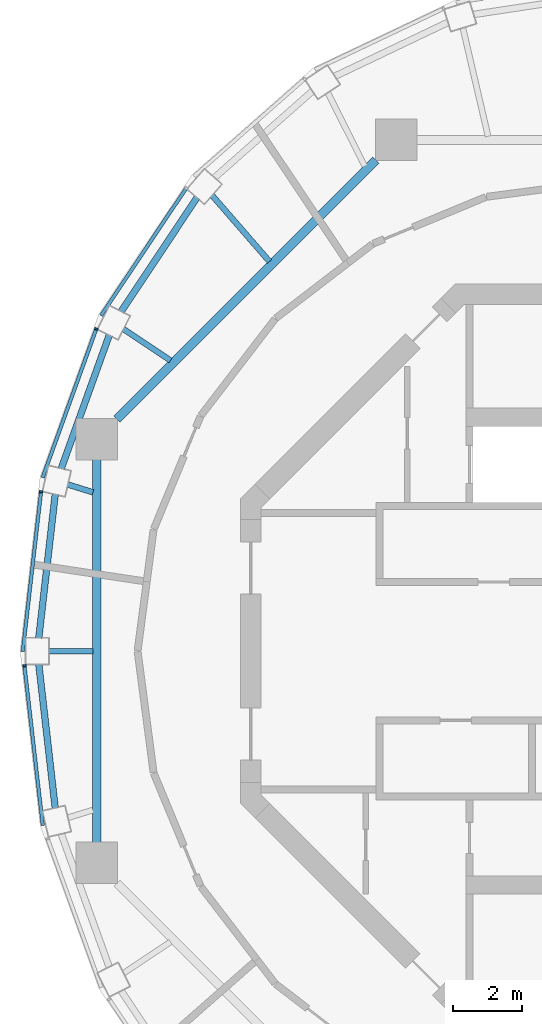
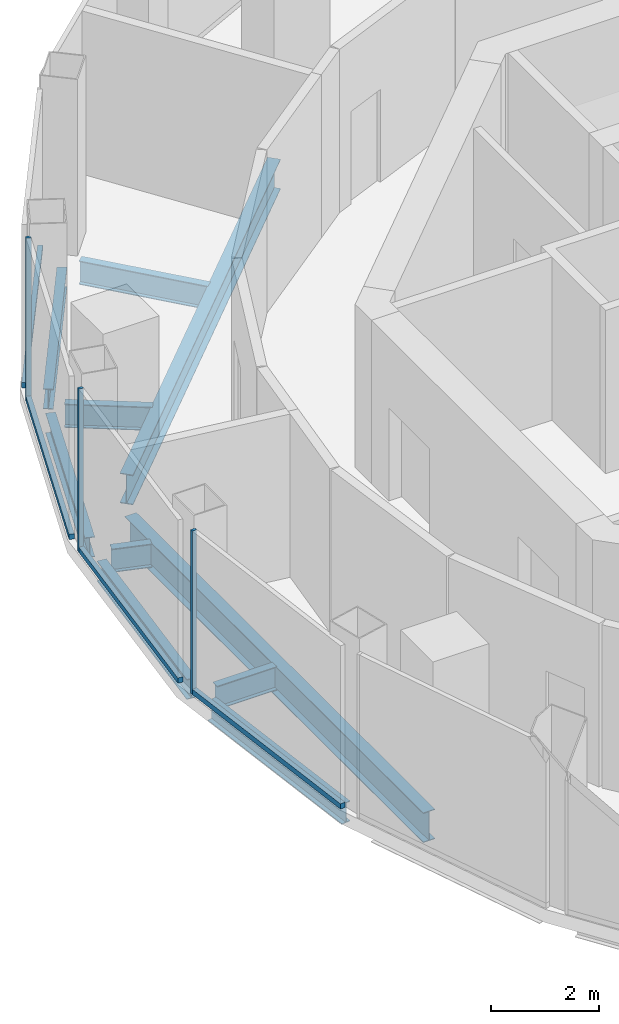
# One storey, part 4 of 11: 10 beams, 7 members, 4 elements without a shape of their own.
"""IFC4 building model written with IfcOpenShell, lengths in metres."""

from ifc_helpers import new_model, si_unit, direction, frame, origin, origin_2d, place, context, subcontext, project, spatial, rectangle, i_section, extrude, material, layer, layer_set, material_profile, profile_set, type_object, element, aggregate, save


model = new_model("IFC4")

# Units and contexts
model_context = context("Model", 3, precision=1e-05, world=origin(), true_north=direction((0.0, 1.0)))
body_context = subcontext(model_context, "Body", "Model", "MODEL_VIEW")
ifc_project = project(units=[si_unit("LENGTHUNIT", "METRE"), si_unit("AREAUNIT", "SQUARE_METRE"), si_unit("VOLUMEUNIT", "CUBIC_METRE"), si_unit("PLANEANGLEUNIT", "RADIAN"), si_unit("MASSUNIT", "GRAM", prefix="KILO")], contexts=[model_context])

# Site, building, storey
site_placement = place(None, origin())
site = spatial("IfcSite", under=ifc_project, at=site_placement, CompositionType="ELEMENT")
building_placement = place(site_placement, origin())
building = spatial("IfcBuilding", under=site, at=building_placement, Name="Nagisa Residences", CompositionType="ELEMENT")
storey_placement = place(building_placement, frame((0.0, 0.0, 336.89990234375)))
storey = spatial("IfcBuildingStorey", under=building, at=storey_placement, Name="L83", CompositionType="ELEMENT", Elevation=336.89990234375)

# Curtain wall, member
ifc_material_1 = material(Name="Aluminium curtain wall system", Category="aluminium")
ifc_layer = layer(ifc_material_1, 0.159912109375)
ifc_layer_set = layer_set([ifc_layer], Name="CW5 CURTAIN WALL")
curtain_wall_type = type_object("IfcCurtainWallType", Name="CW5 CURTAIN WALL", PredefinedType="NOTDEFINED", material=ifc_layer_set)
curtain_wall_1_placement = place(storey_placement, origin())
curtain_wall_1 = element("IfcCurtainWall", 1, at=curtain_wall_1_placement, inside=storey, type_object=curtain_wall_type, Name="cw:CW5:L83:10", PredefinedType="NOTDEFINED")
ifc_material_2 = material(Name="Aluminium", Category="aluminium")
ifc_material_profile_1 = material_profile(ifc_material_2, rectangle(XDim=0.10009765625, YDim=0.06005859375, at=origin_2d()), Name="CW5 MULLION 100x60")
ifc_profile_set_1 = profile_set([ifc_material_profile_1], Name="Aluminium")
member_type_1 = type_object("IfcMemberType", Name="CW5 MULLION 100x60", PredefinedType="MULLION", material=ifc_profile_set_1)
member_1_placement = place(storey_placement, frame((-14.793212890625, 9.318359375, 0.0), z_axis=(0.0, 0.0, 1.0), x_axis=(0.940554456033, -0.339642923136, 0.0)))
member_1 = element("IfcMember", 2, at=member_1_placement, type_object=member_type_1, Name="CW5 mullion", PredefinedType="MULLION", context=body_context, shape_type="SweptSolid", body=[
    extrude(rectangle(XDim=0.10009765625, YDim=0.06005859375, at=origin_2d()), origin(), (0.0, 0.0, 1.0), 3.7001953125),
])

curtain_wall_2_placement = place(storey_placement, origin())
curtain_wall_2 = element("IfcCurtainWall", 3, at=curtain_wall_2_placement, inside=storey, type_object=curtain_wall_type, Name="cw:CW5:L83:11", PredefinedType="NOTDEFINED")
member_2_placement = place(storey_placement, frame((-16.390380859375, 4.610595703125, 0.0), z_axis=(0.0, 0.0, 1.0), x_axis=(0.993477835048, -0.114025397474, 0.0)))
member_2 = element("IfcMember", 4, at=member_2_placement, type_object=member_type_1, Name="CW5 mullion", PredefinedType="MULLION", context=body_context, shape_type="SweptSolid", body=[
    extrude(rectangle(XDim=0.10009765625, YDim=0.06005859375, at=origin_2d()), origin(), (0.0, 0.0, 1.0), 3.7001953125),
])

curtain_wall_3_placement = place(storey_placement, origin())
curtain_wall_3 = element("IfcCurtainWall", 5, at=curtain_wall_3_placement, inside=storey, type_object=curtain_wall_type, Name="cw:CW5:L83:12", PredefinedType="NOTDEFINED")
member_3_placement = place(storey_placement, frame((-16.87158203125, -0.41796875, 0.0), z_axis=(0.0, 0.0, 1.0), x_axis=(0.993477835048, 0.114025397474, 0.0)))
member_3 = element("IfcMember", 6, at=member_3_placement, type_object=member_type_1, Name="CW5 mullion", PredefinedType="MULLION", context=body_context, shape_type="SweptSolid", body=[
    extrude(rectangle(XDim=0.10009765625, YDim=0.06005859375, at=origin_2d()), origin(), (0.0, 0.0, 1.0), 3.7001953125),
])

curtain_wall_4_placement = place(storey_placement, origin())
curtain_wall_4 = element("IfcCurtainWall", 7, at=curtain_wall_4_placement, inside=storey, type_object=curtain_wall_type, Name="cw:CW5:L83:09", PredefinedType="NOTDEFINED")
ifc_material_3 = material(Name="Aluminium", Category="aluminium")
ifc_material_profile_2 = material_profile(ifc_material_3, rectangle(XDim=0.10009765625, YDim=0.1201171875, at=origin_2d()), Name="CW5 TRANSOM 100x120")
ifc_profile_set_2 = profile_set([ifc_material_profile_2], Name="Aluminium")
member_type_2 = type_object("IfcMemberType", Name="CW5 TRANSOM 100x120", PredefinedType="USERDEFINED", material=ifc_profile_set_2)
member_4_placement = place(storey_placement, frame((-12.1767578125, 13.41162109375, 0.06005859375), z_axis=(-0.556026221044, -0.831164749921, 0.0), x_axis=(0.831164749921, -0.556026221044, 0.0)))
member_4 = element("IfcMember", 8, at=member_4_placement, type_object=member_type_2, Name="CW5 transom", ObjectType="TRANSOM", PredefinedType="USERDEFINED", context=body_context, shape_type="SweptSolid", body=[
    extrude(rectangle(XDim=0.10009765625, YDim=0.1201171875, at=origin_2d()), origin(), (0.0, 0.0, 1.0), 4.458984375),
])
aggregate(curtain_wall_4, [member_4])

# Member
member_5_placement = place(storey_placement, frame((-14.782958984375, 9.3466796875, 0.06005859375), z_axis=(-0.339645767878, -0.940553428766, 0.0), x_axis=(0.940553428766, -0.339645767878, 0.0)))
member_5 = element("IfcMember", 9, at=member_5_placement, type_object=member_type_2, Name="CW5 transom", ObjectType="TRANSOM", PredefinedType="USERDEFINED", context=body_context, shape_type="SweptSolid", body=[
    extrude(rectangle(XDim=0.10009765625, YDim=0.1201171875, at=origin_2d()), origin(), (0.0, 0.0, 1.0), 4.600341796875),
])

aggregate(curtain_wall_1, [member_1, member_5])

member_6_placement = place(storey_placement, frame((-16.386962890625, 4.640380859375, 0.06005859375), z_axis=(-0.11398649568, -0.993482299189, 0.0), x_axis=(0.993482299189, -0.11398649568, 0.0)))
member_6 = element("IfcMember", 10, at=member_6_placement, type_object=member_type_2, Name="CW5 transom", ObjectType="TRANSOM", PredefinedType="USERDEFINED", context=body_context, shape_type="SweptSolid", body=[
    extrude(rectangle(XDim=0.10009765625, YDim=0.1201171875, at=origin_2d()), origin(), (0.0, 0.0, 1.0), 4.679931640625),
])

aggregate(curtain_wall_2, [member_2, member_6])

member_7_placement = place(storey_placement, frame((-16.875, -0.38818359375, 0.06005859375), z_axis=(0.114032075188, -0.993477068597, 0.0), x_axis=(0.993477068597, 0.114032075188, 0.0)))
member_7 = element("IfcMember", 11, at=member_7_placement, type_object=member_type_2, Name="CW5 transom", ObjectType="TRANSOM", PredefinedType="USERDEFINED", context=body_context, shape_type="SweptSolid", body=[
    extrude(rectangle(XDim=0.10009765625, YDim=0.1201171875, at=origin_2d()), origin(), (0.0, 0.0, 1.0), 4.68017578125),
])

aggregate(curtain_wall_3, [member_3, member_7])

# Beams
ifc_material_4 = material(Name="Steel ASTM A572 Gr 50", Category="steel")
ifc_material_profile_3 = material_profile(ifc_material_4, i_section(OverallWidth=0.2529296875, OverallDepth=0.677978515625, WebThickness=0.01171875, FlangeThickness=0.016357421875, at=origin_2d()), Name="W690x125")
ifc_profile_set_3 = profile_set([ifc_material_profile_3], Name="Steel ASTM A572 Gr 50")
beam_type_1 = type_object("IfcBeamType", Name="Inner ring beam W690x125", PredefinedType="BEAM", material=ifc_profile_set_3)
beam_1_placement = place(storey_placement, frame((-6.708740234375, 14.1962890625, -0.638916015625), z_axis=(-0.707106781187, -0.707106781187, 0.0), x_axis=(0.707106781187, -0.707106781187, 0.0)))
element("IfcBeam", 12, at=beam_1_placement, inside=storey, type_object=beam_type_1, Name="beam:L83:ib3", PredefinedType="BEAM", context=body_context, shape_type="SweptSolid", body=[
    extrude(i_section(OverallWidth=0.2529296875, OverallDepth=0.677978515625, WebThickness=0.01171875, FlangeThickness=0.016357421875, at=origin_2d()), origin(), (0.0, 0.0, 1.0), 10.589111328125),
])
beam_2_placement = place(storey_placement, frame((-14.781982421875, 5.54296875, -0.638916015625), z_axis=(0.0, -1.0, 0.0), x_axis=(1.0, 0.0, 0.0)))
element("IfcBeam", 13, at=beam_2_placement, inside=storey, type_object=beam_type_1, Name="beam:L83:ib4", PredefinedType="BEAM", context=body_context, shape_type="SweptSolid", body=[
    extrude(i_section(OverallWidth=0.2529296875, OverallDepth=0.677978515625, WebThickness=0.01171875, FlangeThickness=0.016357421875, at=origin_2d()), origin(), (0.0, 0.0, 1.0), 11.0859375),
])
ifc_material_5 = material(Name="Steel ASTM A572 Gr 50", Category="steel")
ifc_material_profile_4 = material_profile(ifc_material_5, i_section(OverallWidth=0.18994140625, OverallDepth=0.45703125, WebThickness=0.009033203125, FlangeThickness=0.014404296875, at=origin_2d()), Name="W460x74")
ifc_profile_set_4 = profile_set([ifc_material_profile_4], Name="Steel ASTM A572 Gr 50")
beam_type_2 = type_object("IfcBeamType", Name="Perimeter ring beam W460x74", PredefinedType="BEAM", material=ifc_profile_set_4)
beam_3_placement = place(storey_placement, frame((-11.8798828125, 13.115966796875, -0.5283203125), z_axis=(-0.554529560082, -0.832164026497, 0.0), x_axis=(0.832164026497, -0.554529560082, 0.0)))
element("IfcBeam", 14, at=beam_3_placement, inside=storey, type_object=beam_type_2, Name="beam:L83:pb10", PredefinedType="BEAM", context=body_context, shape_type="SweptSolid", body=[
    extrude(i_section(OverallWidth=0.18994140625, OverallDepth=0.45703125, WebThickness=0.009033203125, FlangeThickness=0.014404296875, at=origin_2d()), origin(), (0.0, 0.0, 1.0), 3.96240234375),
])
beam_4_placement = place(storey_placement, frame((-14.4189453125, 9.1396484375, -0.5283203125), z_axis=(-0.338517252251, -0.940960185092, 0.0), x_axis=(0.940960185092, -0.338517252251, 0.0)))
element("IfcBeam", 15, at=beam_4_placement, inside=storey, type_object=beam_type_2, Name="beam:L83:pb11", PredefinedType="BEAM", context=body_context, shape_type="SweptSolid", body=[
    extrude(i_section(OverallWidth=0.18994140625, OverallDepth=0.45703125, WebThickness=0.009033203125, FlangeThickness=0.014404296875, at=origin_2d()), origin(), (0.0, 0.0, 1.0), 4.1044921875),
])
for number, where, z_axis, x_axis, name in (
    (16, (-15.981201171875, 4.537353515625, -0.5283203125), (-0.113600894263, -0.993526465084, 0.0), (0.993526465084, -0.113600894263, 0.0), "beam:L83:pb12"),
    (17, (-16.45654296875, -0.380126953125, -0.5283203125), (0.113600894263, -0.993526465084, 0.0), (0.993526465084, 0.113600894263, 0.0), "beam:L83:pb13"),
):
    element("IfcBeam", number, at=place(storey_placement, frame(where, z_axis=z_axis, x_axis=x_axis)), inside=storey, type_object=beam_type_2, Name=name, PredefinedType="BEAM", context=body_context, shape_type="SweptSolid", body=[
        extrude(i_section(OverallWidth=0.18994140625, OverallDepth=0.45703125, WebThickness=0.009033203125, FlangeThickness=0.014404296875, at=origin_2d()), origin(), (0.0, 0.0, 1.0), 4.184326171875),
    ])
ifc_material_6 = material(Name="Steel ASTM A572 Gr 50", Category="steel")
ifc_material_profile_5 = material_profile(ifc_material_6, i_section(OverallWidth=0.166015625, OverallDepth=0.534912109375, WebThickness=0.01025390625, FlangeThickness=0.0166015625, at=origin_2d()), Name="W530x85")
ifc_profile_set_5 = profile_set([ifc_material_profile_5], Name="Steel ASTM A572 Gr 50")
beam_type_3 = type_object("IfcBeamType", Name="Radial beam W530x85", PredefinedType="BEAM", material=ifc_profile_set_5)
beam_5_placement = place(storey_placement, frame((-11.44873046875, 13.183349609375, -0.5673828125), z_axis=(0.655718438616, -0.755005516045, 0.0), x_axis=(0.755005516045, 0.655718438616, 0.0)))
element("IfcBeam", 18, at=beam_5_placement, inside=storey, type_object=beam_type_3, Name="beam:L83:rb10", PredefinedType="BEAM", context=body_context, shape_type="SweptSolid", body=[
    extrude(i_section(OverallWidth=0.166015625, OverallDepth=0.534912109375, WebThickness=0.01025390625, FlangeThickness=0.0166015625, at=origin_2d()), origin(), (0.0, 0.0, 1.0), 2.53515625),
])
beam_6_placement = place(storey_placement, frame((-14.012451171875, 9.31591796875, -0.5673828125), z_axis=(0.832714310154, -0.553702878505, 0.0), x_axis=(0.553702878505, 0.832714310154, 0.0)))
element("IfcBeam", 19, at=beam_6_placement, inside=storey, type_object=beam_type_3, Name="beam:L83:rb11", PredefinedType="BEAM", context=body_context, shape_type="SweptSolid", body=[
    extrude(i_section(OverallWidth=0.166015625, OverallDepth=0.534912109375, WebThickness=0.01025390625, FlangeThickness=0.0166015625, at=origin_2d()), origin(), (0.0, 0.0, 1.0), 1.638916015625),
])
beam_7_placement = place(storey_placement, frame((-15.62158203125, 4.820068359375, -0.5673828125), z_axis=(0.955489220567, -0.295026014753, 0.0), x_axis=(0.295026014753, 0.955489220567, 0.0)))
element("IfcBeam", 20, at=beam_7_placement, inside=storey, type_object=beam_type_3, Name="beam:L83:rb12", PredefinedType="BEAM", context=body_context, shape_type="SweptSolid", body=[
    extrude(i_section(OverallWidth=0.166015625, OverallDepth=0.534912109375, WebThickness=0.01025390625, FlangeThickness=0.0166015625, at=origin_2d()), origin(), (0.0, 0.0, 1.0), 0.766357421875),
])
beam_8_placement = place(storey_placement, frame((-16.169921875, 0.0, -0.5673828125), z_axis=(1.0, 0.0, 0.0), x_axis=(0.0, 1.0, 0.0)))
element("IfcBeam", 21, at=beam_8_placement, inside=storey, type_object=beam_type_3, Name="beam:L83:rb13", PredefinedType="BEAM", context=body_context, shape_type="SweptSolid", body=[
    extrude(i_section(OverallWidth=0.166015625, OverallDepth=0.534912109375, WebThickness=0.01025390625, FlangeThickness=0.0166015625, at=origin_2d()), origin(), (0.0, 0.0, 1.0), 1.28125),
])

save(model, "model.ifc")
